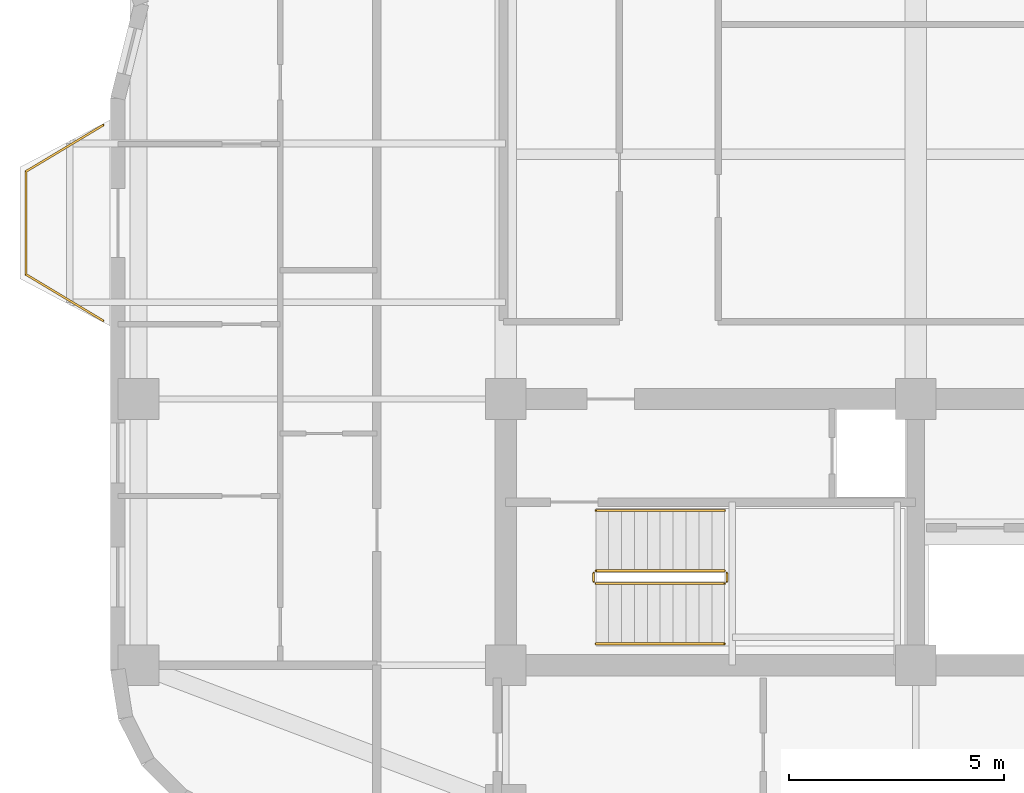
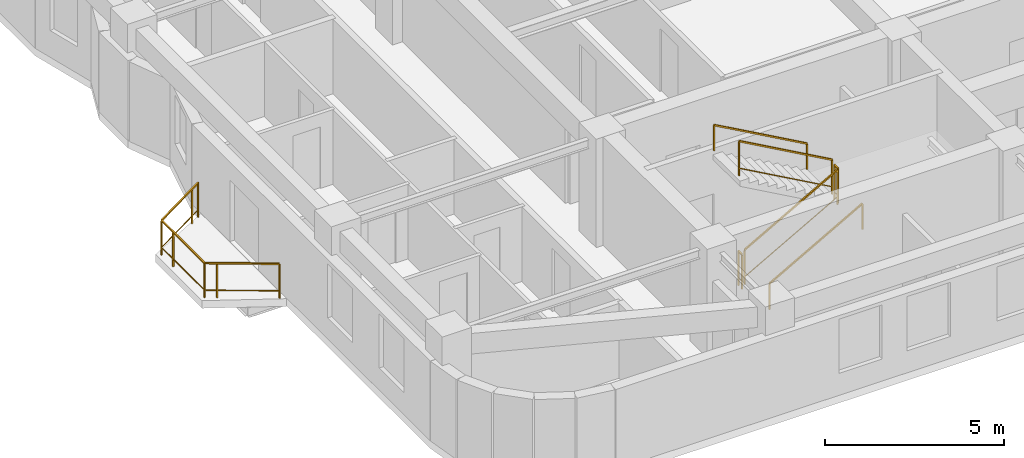
# One storey, part 7 of 8: 7 railings.
"""IFC4 building model written with IfcOpenShell, lengths in metres."""

from ifc_helpers import new_model, si_unit, direction, frame, origin, origin_2d, place, context, subcontext, project, spatial, rectangle, extrude, material, type_object, element, save


model = new_model("IFC4")

# Units and contexts
model_context = context("Model", 3, precision=1e-05, world=origin(), true_north=direction((0.0, 1.0)))
body_context = subcontext(model_context, "Body", "Model", "MODEL_VIEW")
ifc_project = project(units=[si_unit("LENGTHUNIT", "METRE"), si_unit("AREAUNIT", "SQUARE_METRE"), si_unit("VOLUMEUNIT", "CUBIC_METRE"), si_unit("PLANEANGLEUNIT", "RADIAN"), si_unit("MASSUNIT", "GRAM", prefix="KILO")], contexts=[model_context])

# Site, building, storey
site_placement = place(None, origin())
site = spatial("IfcSite", under=ifc_project, at=site_placement, CompositionType="ELEMENT")
building_placement = place(site_placement, origin())
building = spatial("IfcBuilding", under=site, at=building_placement, Name="Svetorya Sky Lyceum", CompositionType="ELEMENT")
storey_placement = place(building_placement, frame((0.0, 0.0, 151.5)))
storey = spatial("IfcBuildingStorey", under=building, at=storey_placement, Name="L37", CompositionType="ELEMENT", Elevation=151.5)

# Railings
ifc_material_1 = material(Name="Laminated safety glass and stainless AISI 316", Category="glass")
railing_type_1 = type_object("IfcRailingType", Name="RL-BAL-1200", PredefinedType="BALUSTRADE", material=ifc_material_1)
railing_1_placement = place(storey_placement, frame((16.22998046875, 18.6201171875, 0.0)))
element("IfcRailing", 1, at=railing_1_placement, inside=storey, type_object=railing_type_1, Name="L37 Balcony Balustrade BAL-W1", PredefinedType="BALUSTRADE", context=body_context, shape_type="SweptSolid", body=[
    extrude(rectangle(XDim=0.048095703125, YDim=0.048095703125, at=origin_2d()), frame((0.0, 0.0, 1.17578125), z_axis=(-0.85753397263, 0.514427337711, 0.0), x_axis=(-0.514427337711, -0.85753397263, 0.0)), (0.0, 0.0, 1.0), 2.09912109375),
    extrude(rectangle(XDim=0.02392578125, YDim=0.02392578125, at=origin_2d()), frame((0.0, 0.0, 0.25), z_axis=(-0.85753397263, 0.514427337711, 0.0), x_axis=(-0.514427337711, -0.85753397263, 0.0)), (0.0, 0.0, 1.0), 2.09912109375),
    extrude(rectangle(XDim=0.048095703125, YDim=0.048095703125, at=origin_2d()), frame((-1.800048828125, 1.079833984375, 1.17578125), z_axis=(0.0, 1.0, 0.0), x_axis=(-1.0, 0.0, 0.0)), (0.0, 0.0, 1.0), 2.400146484375),
    extrude(rectangle(XDim=0.02392578125, YDim=0.02392578125, at=origin_2d()), frame((-1.800048828125, 1.079833984375, 0.25), z_axis=(0.0, 1.0, 0.0), x_axis=(-1.0, 0.0, 0.0)), (0.0, 0.0, 1.0), 2.400146484375),
    extrude(rectangle(XDim=0.048095703125, YDim=0.048095703125, at=origin_2d()), frame((-1.800048828125, 3.47998046875, 1.17578125), z_axis=(0.85753397263, 0.514427337711, 0.0), x_axis=(-0.514427337711, 0.85753397263, 0.0)), (0.0, 0.0, 1.0), 2.09912109375),
    extrude(rectangle(XDim=0.02392578125, YDim=0.02392578125, at=origin_2d()), frame((-1.800048828125, 3.47998046875, 0.25), z_axis=(0.85753397263, 0.514427337711, 0.0), x_axis=(-0.514427337711, 0.85753397263, 0.0)), (0.0, 0.0, 1.0), 2.09912109375),
    extrude(rectangle(XDim=0.0419921875, YDim=0.0419921875, at=origin_2d()), origin(), (0.0, 0.0, 1.0), 1.15185546875),
    extrude(rectangle(XDim=0.0419921875, YDim=0.0419921875, at=origin_2d()), frame((-1.500732421875, 0.900146484375, 0.0)), (0.0, 0.0, 1.0), 1.15185546875),
    extrude(rectangle(XDim=0.0419921875, YDim=0.0419921875, at=origin_2d()), frame((-1.800048828125, 1.079833984375, 0.0)), (0.0, 0.0, 1.0), 1.15185546875),
    extrude(rectangle(XDim=0.0419921875, YDim=0.0419921875, at=origin_2d()), frame((-1.800048828125, 2.829833984375, 0.0)), (0.0, 0.0, 1.0), 1.15185546875),
    extrude(rectangle(XDim=0.0419921875, YDim=0.0419921875, at=origin_2d()), frame((-1.800048828125, 3.47998046875, 0.0)), (0.0, 0.0, 1.0), 1.15185546875),
    extrude(rectangle(XDim=0.0419921875, YDim=0.0419921875, at=origin_2d()), frame((-0.29931640625, 4.380126953125, 0.0)), (0.0, 0.0, 1.0), 1.15185546875),
    extrude(rectangle(XDim=0.0419921875, YDim=0.0419921875, at=origin_2d()), frame((0.0, 4.559814453125, 0.0)), (0.0, 0.0, 1.0), 1.15185546875),
])
ifc_material_2 = material(Name="Painted galvanized stair well guard")
railing_type_2 = type_object("IfcRailingType", Name="RL-STR-GUARD-1200", PredefinedType="GUARDRAIL", material=ifc_material_2)
railing_2_placement = place(storey_placement, frame((27.699951171875, 12.5, 0.168212890625)))
element("IfcRailing", 2, at=railing_2_placement, inside=storey, type_object=railing_type_2, Name="L37 ST-S stair guard 1", PredefinedType="GUARDRAIL", context=body_context, shape_type="SweptSolid", body=[
    extrude(rectangle(XDim=0.048095703125, YDim=0.048095703125, at=origin_2d()), frame((0.0, 0.0, 1.17578125), z_axis=(0.872272294576, 0.0, 0.489020494575), x_axis=(0.0, 1.0, 0.0)), (0.0, 0.0, 1.0), 3.439208984375),
    extrude(rectangle(XDim=0.02392578125, YDim=0.02392578125, at=origin_2d()), frame((0.0, 0.0, 0.25), z_axis=(0.872272294576, 0.0, 0.489020494575), x_axis=(0.0, 1.0, 0.0)), (0.0, 0.0, 1.0), 3.439208984375),
    extrude(rectangle(XDim=0.0419921875, YDim=0.0419921875, at=origin_2d()), origin(), (0.0, 0.0, 1.0), 1.15185546875),
    extrude(rectangle(XDim=0.0419921875, YDim=0.0419921875, at=origin_2d()), frame((3.0, 0.0, 1.681884765625)), (0.0, 0.0, 1.0), 1.15185546875),
])
railing_3_placement = place(storey_placement, frame((30.75, 12.550048828125, 1.85009765625)))
element("IfcRailing", 3, at=railing_3_placement, inside=storey, type_object=railing_type_2, Name="L37 ST-S stair guard 2", PredefinedType="GUARDRAIL", context=body_context, shape_type="SweptSolid", body=[
    extrude(rectangle(XDim=0.048095703125, YDim=0.048095703125, at=origin_2d()), frame((0.0, 0.0, 1.17578125), z_axis=(0.0, 1.0, 0.0), x_axis=(-1.0, 0.0, 0.0)), (0.0, 0.0, 1.0), 0.199951171875),
    extrude(rectangle(XDim=0.02392578125, YDim=0.02392578125, at=origin_2d()), frame((0.0, 0.0, 0.25), z_axis=(0.0, 1.0, 0.0), x_axis=(-1.0, 0.0, 0.0)), (0.0, 0.0, 1.0), 0.199951171875),
    extrude(rectangle(XDim=0.0419921875, YDim=0.0419921875, at=origin_2d()), origin(), (0.0, 0.0, 1.0), 1.15185546875),
    extrude(rectangle(XDim=0.0419921875, YDim=0.0419921875, at=origin_2d()), frame((0.0, 0.199951171875, 0.0)), (0.0, 0.0, 1.0), 1.15185546875),
])
railing_4_placement = place(storey_placement, frame((30.699951171875, 12.800048828125, 2.01806640625)))
element("IfcRailing", 4, at=railing_4_placement, inside=storey, type_object=railing_type_2, Name="L37 ST-S stair guard 3", PredefinedType="GUARDRAIL", context=body_context, shape_type="SweptSolid", body=[
    extrude(rectangle(XDim=0.048095703125, YDim=0.048095703125, at=origin_2d()), frame((0.0, 0.0, 1.17578125), z_axis=(-0.872272294576, 0.0, 0.489020494575), x_axis=(0.0, -1.0, 0.0)), (0.0, 0.0, 1.0), 3.439208984375),
    extrude(rectangle(XDim=0.02392578125, YDim=0.02392578125, at=origin_2d()), frame((0.0, 0.0, 0.25), z_axis=(-0.872272294576, 0.0, 0.489020494575), x_axis=(0.0, -1.0, 0.0)), (0.0, 0.0, 1.0), 3.439208984375),
    extrude(rectangle(XDim=0.0419921875, YDim=0.0419921875, at=origin_2d()), origin(), (0.0, 0.0, 1.0), 1.15185546875),
    extrude(rectangle(XDim=0.0419921875, YDim=0.0419921875, at=origin_2d()), frame((-3.0, 0.0, 1.681884765625)), (0.0, 0.0, 1.0), 1.15185546875),
])
railing_5_placement = place(storey_placement, frame((27.64990234375, 12.550048828125, 0.0)))
element("IfcRailing", 5, at=railing_5_placement, inside=storey, type_object=railing_type_2, Name="L37 ST-S stair guard 4", PredefinedType="GUARDRAIL", context=body_context, shape_type="SweptSolid", body=[
    extrude(rectangle(XDim=0.048095703125, YDim=0.048095703125, at=origin_2d()), frame((0.0, 0.0, 1.17578125), z_axis=(0.0, 1.0, 0.0), x_axis=(-1.0, 0.0, 0.0)), (0.0, 0.0, 1.0), 0.199951171875),
    extrude(rectangle(XDim=0.02392578125, YDim=0.02392578125, at=origin_2d()), frame((0.0, 0.0, 0.25), z_axis=(0.0, 1.0, 0.0), x_axis=(-1.0, 0.0, 0.0)), (0.0, 0.0, 1.0), 0.199951171875),
    extrude(rectangle(XDim=0.0419921875, YDim=0.0419921875, at=origin_2d()), origin(), (0.0, 0.0, 1.0), 1.15185546875),
    extrude(rectangle(XDim=0.0419921875, YDim=0.0419921875, at=origin_2d()), frame((0.0, 0.199951171875, 0.0)), (0.0, 0.0, 1.0), 1.15185546875),
])
ifc_material_3 = material(Name="Brushed stainless AISI 304 stair handrail")
railing_type_3 = type_object("IfcRailingType", Name="RL-STR-HAND-920", PredefinedType="HANDRAIL", material=ifc_material_3)
railing_6_placement = place(storey_placement, frame((27.699951171875, 11.10009765625, 0.168212890625)))
element("IfcRailing", 6, at=railing_6_placement, inside=storey, type_object=railing_type_3, Name="L37 ST-S stair handrail 1", PredefinedType="HANDRAIL", context=body_context, shape_type="SweptSolid", body=[
    extrude(rectangle(XDim=0.048095703125, YDim=0.048095703125, at=origin_2d()), frame((0.0, 0.0, 0.8759765625), z_axis=(0.872272294576, 0.0, 0.489020494575), x_axis=(0.0, 1.0, 0.0)), (0.0, 0.0, 1.0), 3.439208984375),
    extrude(rectangle(XDim=0.0419921875, YDim=0.0419921875, at=origin_2d()), origin(), (0.0, 0.0, 1.0), 0.851806640625),
    extrude(rectangle(XDim=0.0419921875, YDim=0.0419921875, at=origin_2d()), frame((3.0, 0.0, 1.681884765625)), (0.0, 0.0, 1.0), 0.851806640625),
])
railing_7_placement = place(storey_placement, frame((30.699951171875, 14.199951171875, 2.01806640625)))
element("IfcRailing", 7, at=railing_7_placement, inside=storey, type_object=railing_type_3, Name="L37 ST-S stair handrail 2", PredefinedType="HANDRAIL", context=body_context, shape_type="SweptSolid", body=[
    extrude(rectangle(XDim=0.048095703125, YDim=0.048095703125, at=origin_2d()), frame((0.0, 0.0, 0.8759765625), z_axis=(-0.872272294576, 0.0, 0.489020494575), x_axis=(0.0, -1.0, 0.0)), (0.0, 0.0, 1.0), 3.439208984375),
    extrude(rectangle(XDim=0.0419921875, YDim=0.0419921875, at=origin_2d()), origin(), (0.0, 0.0, 1.0), 0.851806640625),
    extrude(rectangle(XDim=0.0419921875, YDim=0.0419921875, at=origin_2d()), frame((-3.0, 0.0, 1.681884765625)), (0.0, 0.0, 1.0), 0.851806640625),
])

save(model, "model.ifc")
